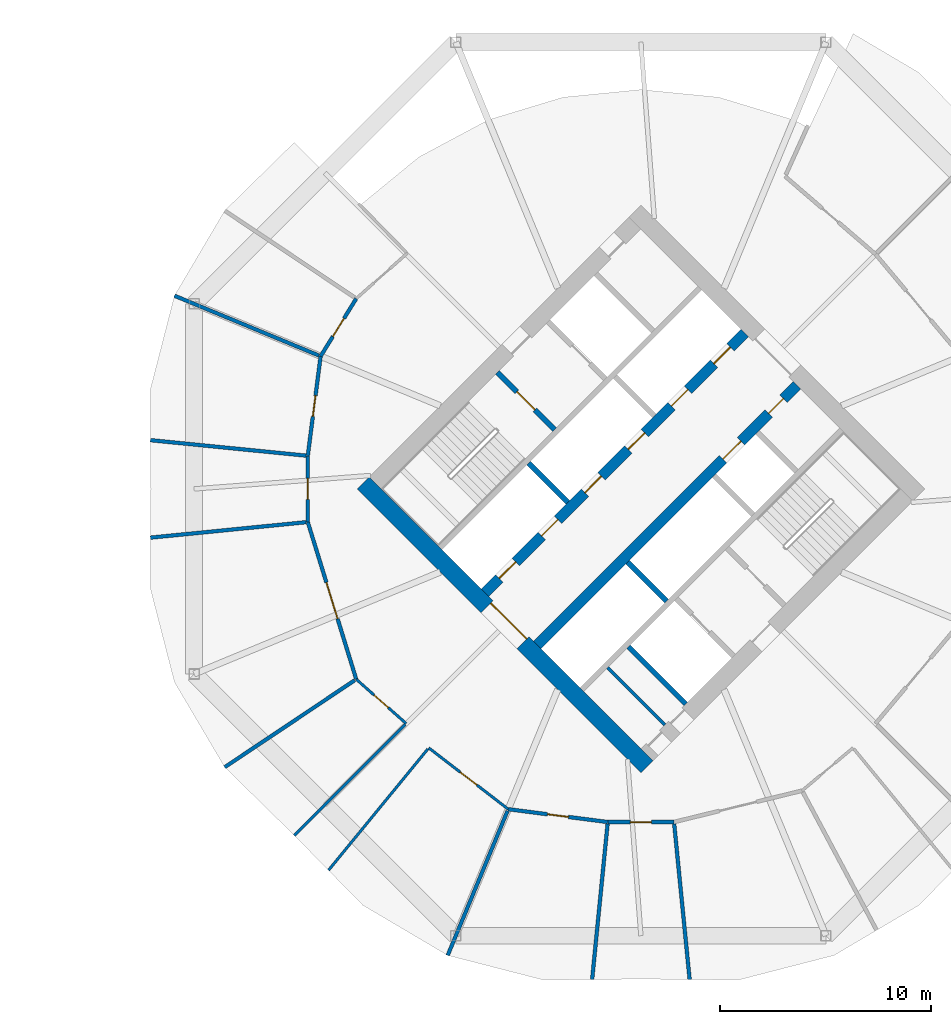
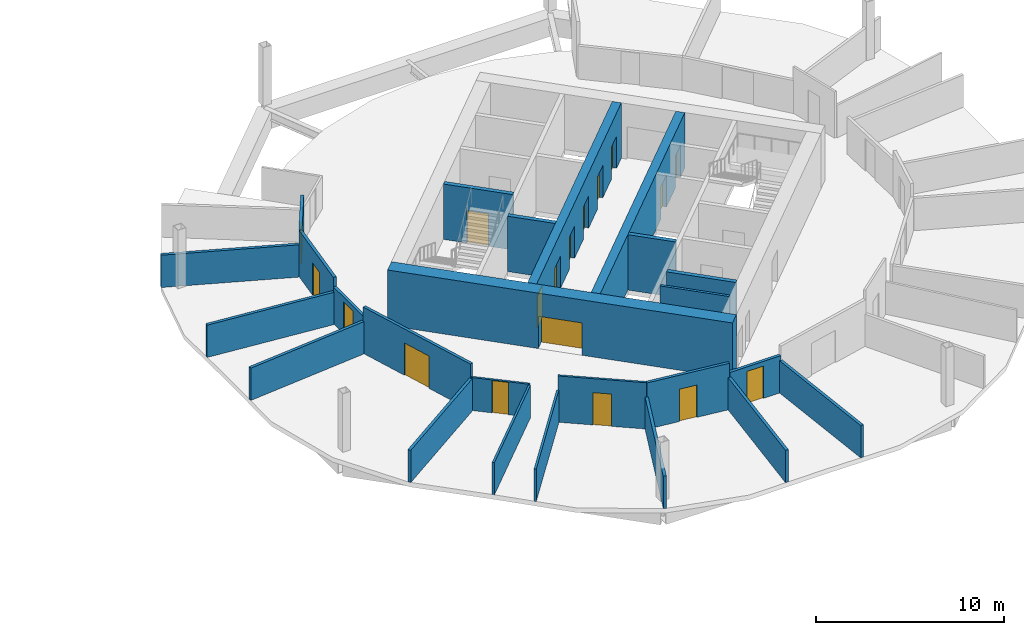
# One storey, part 6 of 9: 25 walls, 18 doors, 18 openings.
"""IFC4 building model written with IfcOpenShell, lengths in metres."""

from ifc_helpers import new_model, si_unit, direction, frame, frame_2d, origin, place, context, subcontext, project, spatial, rectangle, extrude, material, layer, layer_set, type_object, element, fill, save


model = new_model("IFC4")

# Units and contexts
model_context = context("Model", 3, precision=1e-05, world=origin(), true_north=direction((0.0, 1.0)))
body_context = subcontext(model_context, "Body", "Model", "MODEL_VIEW")
ifc_project = project(units=[si_unit("LENGTHUNIT", "METRE"), si_unit("AREAUNIT", "SQUARE_METRE"), si_unit("VOLUMEUNIT", "CUBIC_METRE"), si_unit("PLANEANGLEUNIT", "RADIAN"), si_unit("MASSUNIT", "GRAM", prefix="KILO")], contexts=[model_context])

# Site, building, storey
site_placement = place(None, origin())
site = spatial("IfcSite", under=ifc_project, at=site_placement, CompositionType="ELEMENT")
building_placement = place(site_placement, origin())
building = spatial("IfcBuilding", under=site, at=building_placement, Name="Ogive Gate Towers", CompositionType="ELEMENT")
storey_placement = place(building_placement, frame((0.0, 0.0, 67.5)))
storey = spatial("IfcBuildingStorey", under=building, at=storey_placement, Name="L15", CompositionType="ELEMENT", Elevation=67.5)

# Walls
ifc_material_1 = material(Name="Gypsum board acoustic partition")
ifc_layer_1 = layer(ifc_material_1, 0.175048828125)
ifc_layer_set_1 = layer_set([ifc_layer_1], Name="Acoustic partition 175")
wall_type_1 = type_object("IfcWallType", Name="Acoustic partition 175", PredefinedType="PARTITIONING", material=ifc_layer_set_1)
for number, where, z_axis, x_axis, name in (
    (1, (13.909912109375, 9.14990234375, 0.0), (0.0, 0.0, 1.0), (0.92387943858, -0.382683659136, 0.0), "Partition T2-L15-008"),
    (2, (12.768310546875, 2.308837890625, 0.0), (0.0, 0.0, 1.0), (0.995098680944, -0.098886880746, 0.0), "Partition T2-L15-009"),
    (3, (12.768310546875, -2.308837890625, 0.0), (0.0, 0.0, 1.0), (0.995098680944, 0.098886880746, 0.0), "Partition T2-L15-010"),
    (4, (16.290283203125, -13.1787109375, 0.0), (0.0, 0.0, 1.0), (0.831293938964, 0.55583305681, 0.0), "Partition T2-L15-011"),
    (5, (26.85009765625, -22.090087890625, 0.0), (0.0, 0.0, 1.0), (0.382683659136, 0.92387943858, 0.0), "Partition T2-L15-014"),
    (6, (33.691162109375, -23.231689453125, 0.0), (0.0, 0.0, 1.0), (0.098886880746, 0.995098680944, 0.0), "Partition T2-L15-015"),
    (7, (38.308837890625, -23.231689453125, 0.0), (0.0, 0.0, 1.0), (-0.098886880746, 0.995098680944, 0.0), "Partition T2-L15-016"),
):
    element("IfcWall", number, at=place(storey_placement, frame(where, z_axis=z_axis, x_axis=x_axis)), inside=storey, type_object=wall_type_1, Name=name, PredefinedType="PARTITIONING", context=body_context, shape_type="SweptSolid", body=[
        extrude(rectangle(XDim=7.40673828125, YDim=0.175048828125, at=frame_2d((3.703369140625, 0.0))), origin(), (0.0, 0.0, 1.0), 2.10009765625),
    ])

# Wall, opening, door
wall_1_placement = place(storey_placement, frame((37.567626953125, -15.7744140625, 0.0), z_axis=(0.0, 0.0, 1.0), x_axis=(-1.0, 0.0, 0.0)))
wall_1 = element("IfcWall", 8, at=wall_1_placement, inside=storey, type_object=wall_type_1, Name="Partition T2-L15-030", PredefinedType="PARTITIONING", context=body_context, shape_type="SweptSolid", body=[
    extrude(rectangle(XDim=3.13525390625, YDim=0.175048828125, at=frame_2d((1.567626953125, 0.0))), origin(), (0.0, 0.0, 1.0), 2.39990234375),
])
opening_1_placement = place(wall_1_placement, frame((1.068115234375, 0.0, 0.0)))
opening_1 = element("IfcOpeningElement", 9, at=opening_1_placement, cuts=wall_1, Name="Opening T2-L15-D09", PredefinedType="OPENING", context=body_context, shape_type="SweptSolid", body=[
    extrude(rectangle(XDim=1.0, YDim=2.10009765625, at=frame_2d((0.5, 1.050048828125))), frame((0.0, 0.09765625, 0.0), z_axis=(0.0, -1.0, 0.0), x_axis=(1.0, 0.0, 0.0)), (0.0, 0.0, 1.0), 0.195068359375),
])
ifc_material_2 = material(Name="Timber door", Category="wood")
door_type_1 = type_object("IfcDoorType", Name="Door 1000", OperationType="NOTDEFINED", PredefinedType="DOOR", material=ifc_material_2)
door_1_placement = place(opening_1_placement, origin())
door_1 = element("IfcDoor", 10, at=door_1_placement, inside=storey, type_object=door_type_1, Name="Door T2-L15-D09", OperationType="SINGLE_SWING_LEFT", OverallHeight=2.10009765625, OverallWidth=1.0, PredefinedType="DOOR", context=body_context, shape_type="SweptSolid", body=[
    extrude(rectangle(XDim=1.0, YDim=2.10009765625, at=frame_2d((0.5, 1.050048828125))), frame((0.0, 0.02490234375, 0.0), z_axis=(0.0, -1.0, 0.0), x_axis=(1.0, 0.0, 0.0)), (0.0, 0.0, 1.0), 0.050048828125),
])
fill(opening_1, door_1)

wall_2_placement = place(storey_placement, frame((34.432373046875, -15.7744140625, 0.0), z_axis=(0.0, 0.0, 1.0), x_axis=(-0.991781861483, 0.127940373742, 0.0)))
wall_2 = element("IfcWall", 11, at=wall_2_placement, inside=storey, type_object=wall_type_1, Name="Partition T2-L15-031", PredefinedType="PARTITIONING", context=body_context, shape_type="SweptSolid", body=[
    extrude(rectangle(XDim=4.75341796875, YDim=0.175048828125, at=frame_2d((2.376708984375, 0.0))), origin(), (0.0, 0.0, 1.0), 3.010009765625),
])
opening_2_placement = place(wall_2_placement, frame((1.876953125, 0.0, 0.0)))
opening_2 = element("IfcOpeningElement", 12, at=opening_2_placement, cuts=wall_2, Name="Opening T2-L15-D10", PredefinedType="OPENING", context=body_context, shape_type="SweptSolid", body=[
    extrude(rectangle(XDim=1.0, YDim=2.10009765625, at=frame_2d((0.5, 1.050048828125))), frame((0.0, 0.09765625, 0.0), z_axis=(0.0, -1.0, 0.0), x_axis=(1.0, 0.0, 0.0)), (0.0, 0.0, 1.0), 0.195068359375),
])
door_2_placement = place(opening_2_placement, origin())
door_2 = element("IfcDoor", 13, at=door_2_placement, inside=storey, type_object=door_type_1, Name="Door T2-L15-D10", OperationType="SINGLE_SWING_RIGHT", OverallHeight=2.10009765625, OverallWidth=1.0, PredefinedType="DOOR", context=body_context, shape_type="SweptSolid", body=[
    extrude(rectangle(XDim=1.0, YDim=2.10009765625, at=frame_2d((0.5, 1.050048828125))), frame((0.0, 0.02490234375, 0.0), z_axis=(0.0, -1.0, 0.0), x_axis=(1.0, 0.0, 0.0)), (0.0, 0.0, 1.0), 0.050048828125),
])
fill(opening_2, door_2)

wall_3_placement = place(storey_placement, frame((22.520263671875, -9.012939453125, 0.0), z_axis=(0.0, 0.0, 1.0), x_axis=(-0.294532829229, 0.955641361865, 0.0)))
wall_3 = element("IfcWall", 14, at=wall_3_placement, inside=storey, type_object=wall_type_1, Name="Partition T2-L15-034", PredefinedType="PARTITIONING", context=body_context, shape_type="SweptSolid", body=[
    extrude(rectangle(XDim=7.791015625, YDim=0.175048828125, at=frame_2d((3.8955078125, 0.0))), origin(), (0.0, 0.0, 1.0), 3.010009765625),
])
opening_3_placement = place(wall_3_placement, frame((2.9951171875, 0.0, 0.0)))
opening_3 = element("IfcOpeningElement", 15, at=opening_3_placement, cuts=wall_3, Name="Opening T2-L15-D13", PredefinedType="OPENING", context=body_context, shape_type="SweptSolid", body=[
    extrude(rectangle(XDim=1.800048828125, YDim=2.10009765625, at=frame_2d((0.89990234375, 1.050048828125))), frame((0.0, 0.09765625, 0.0), z_axis=(0.0, -1.0, 0.0), x_axis=(1.0, 0.0, 0.0)), (0.0, 0.0, 1.0), 0.195068359375),
])
door_type_2 = type_object("IfcDoorType", Name="Door pair 1800", OperationType="NOTDEFINED", PredefinedType="DOOR", material=ifc_material_2)
door_3_placement = place(opening_3_placement, origin())
door_3 = element("IfcDoor", 16, at=door_3_placement, inside=storey, type_object=door_type_2, Name="Door T2-L15-D13", OperationType="DOUBLE_DOOR_DOUBLE_SWING", OverallHeight=2.10009765625, OverallWidth=1.800048828125, PredefinedType="DOOR", context=body_context, shape_type="SweptSolid", body=[
    extrude(rectangle(XDim=1.800048828125, YDim=2.10009765625, at=frame_2d((0.89990234375, 1.050048828125))), frame((0.0, 0.02490234375, 0.0), z_axis=(0.0, -1.0, 0.0), x_axis=(1.0, 0.0, 0.0)), (0.0, 0.0, 1.0), 0.050048828125),
])
fill(opening_3, door_3)

wall_4_placement = place(storey_placement, frame((20.2255859375, -1.567626953125, 0.0), z_axis=(0.0, 0.0, 1.0), x_axis=(0.0, 1.0, 0.0)))
wall_4 = element("IfcWall", 17, at=wall_4_placement, inside=storey, type_object=wall_type_1, Name="Partition T2-L15-035", PredefinedType="PARTITIONING", context=body_context, shape_type="SweptSolid", body=[
    extrude(rectangle(XDim=3.13525390625, YDim=0.175048828125, at=frame_2d((1.567626953125, 0.0))), origin(), (0.0, 0.0, 1.0), 2.39990234375),
])
opening_4_placement = place(wall_4_placement, frame((1.068115234375, 0.0, 0.0)))
opening_4 = element("IfcOpeningElement", 18, at=opening_4_placement, cuts=wall_4, Name="Opening T2-L15-D14", PredefinedType="OPENING", context=body_context, shape_type="SweptSolid", body=[
    extrude(rectangle(XDim=1.0, YDim=2.10009765625, at=frame_2d((0.5, 1.050048828125))), frame((0.0, 0.09765625, 0.0), z_axis=(0.0, -1.0, 0.0), x_axis=(1.0, 0.0, 0.0)), (0.0, 0.0, 1.0), 0.195068359375),
])
door_4_placement = place(opening_4_placement, origin())
door_4 = element("IfcDoor", 19, at=door_4_placement, inside=storey, type_object=door_type_1, Name="Door T2-L15-D14", OperationType="SINGLE_SWING_LEFT", OverallHeight=2.10009765625, OverallWidth=1.0, PredefinedType="DOOR", context=body_context, shape_type="SweptSolid", body=[
    extrude(rectangle(XDim=1.0, YDim=2.10009765625, at=frame_2d((0.5, 1.050048828125))), frame((0.0, 0.02490234375, 0.0), z_axis=(0.0, -1.0, 0.0), x_axis=(1.0, 0.0, 0.0)), (0.0, 0.0, 1.0), 0.050048828125),
])
fill(opening_4, door_4)

wall_5_placement = place(storey_placement, frame((20.2255859375, 1.567626953125, 0.0), z_axis=(0.0, 0.0, 1.0), x_axis=(0.127940373742, 0.991781861483, 0.0)))
wall_5 = element("IfcWall", 20, at=wall_5_placement, inside=storey, type_object=wall_type_1, Name="Partition T2-L15-036", PredefinedType="PARTITIONING", context=body_context, shape_type="SweptSolid", body=[
    extrude(rectangle(XDim=4.75341796875, YDim=0.175048828125, at=frame_2d((2.376708984375, 0.0))), origin(), (0.0, 0.0, 1.0), 3.010009765625),
])
opening_5_placement = place(wall_5_placement, frame((1.876953125, 0.0, 0.0)))
opening_5 = element("IfcOpeningElement", 21, at=opening_5_placement, cuts=wall_5, Name="Opening T2-L15-D15", PredefinedType="OPENING", context=body_context, shape_type="SweptSolid", body=[
    extrude(rectangle(XDim=1.0, YDim=2.10009765625, at=frame_2d((0.5, 1.050048828125))), frame((0.0, 0.09765625, 0.0), z_axis=(0.0, -1.0, 0.0), x_axis=(1.0, 0.0, 0.0)), (0.0, 0.0, 1.0), 0.195068359375),
])
door_5_placement = place(opening_5_placement, origin())
door_5 = element("IfcDoor", 22, at=door_5_placement, inside=storey, type_object=door_type_1, Name="Door T2-L15-D15", OperationType="SINGLE_SWING_LEFT", OverallHeight=2.10009765625, OverallWidth=1.0, PredefinedType="DOOR", context=body_context, shape_type="SweptSolid", body=[
    extrude(rectangle(XDim=1.0, YDim=2.10009765625, at=frame_2d((0.5, 1.050048828125))), frame((0.0, 0.02490234375, 0.0), z_axis=(0.0, -1.0, 0.0), x_axis=(1.0, 0.0, 0.0)), (0.0, 0.0, 1.0), 0.050048828125),
])
fill(opening_5, door_5)

wall_6_placement = place(storey_placement, frame((20.833740234375, 6.281982421875, 0.0), z_axis=(0.0, 0.0, 1.0), x_axis=(0.525437821433, 0.850832002106, 0.0)))
wall_6 = element("IfcWall", 23, at=wall_6_placement, inside=storey, type_object=wall_type_1, Name="Partition T2-L15-037", PredefinedType="PARTITIONING", context=body_context, shape_type="SweptSolid", body=[
    extrude(rectangle(XDim=3.209716796875, YDim=0.175048828125, at=frame_2d((1.60498046875, 0.0))), origin(), (0.0, 0.0, 1.0), 3.010009765625),
])
opening_6_placement = place(wall_6_placement, frame((1.10498046875, 0.0, 0.0)))
opening_6 = element("IfcOpeningElement", 24, at=opening_6_placement, cuts=wall_6, Name="Opening T2-L15-D16", PredefinedType="OPENING", context=body_context, shape_type="SweptSolid", body=[
    extrude(rectangle(XDim=1.0, YDim=2.10009765625, at=frame_2d((0.5, 1.050048828125))), frame((0.0, 0.09765625, 0.0), z_axis=(0.0, -1.0, 0.0), x_axis=(1.0, 0.0, 0.0)), (0.0, 0.0, 1.0), 0.195068359375),
])
door_6_placement = place(opening_6_placement, origin())
door_6 = element("IfcDoor", 25, at=door_6_placement, inside=storey, type_object=door_type_1, Name="Door T2-L15-D16", OperationType="SINGLE_SWING_RIGHT", OverallHeight=2.10009765625, OverallWidth=1.0, PredefinedType="DOOR", context=body_context, shape_type="SweptSolid", body=[
    extrude(rectangle(XDim=1.0, YDim=2.10009765625, at=frame_2d((0.5, 1.050048828125))), frame((0.0, 0.02490234375, 0.0), z_axis=(0.0, -1.0, 0.0), x_axis=(1.0, 0.0, 0.0)), (0.0, 0.0, 1.0), 0.050048828125),
])
fill(opening_6, door_6)

ifc_material_3 = material(Name="Concrete C60/75", Category="concrete")
ifc_layer_2 = layer(ifc_material_3, 0.800048828125)
ifc_layer_set_2 = layer_set([ifc_layer_2], Name="Core wall 800 mm")
wall_type_2 = type_object("IfcWallType", Name="Core wall 800 mm", PredefinedType="SHEAR", material=ifc_layer_set_2)
wall_7_placement = place(storey_placement, frame((36.28271484375, -13.152099609375, 0.0), z_axis=(0.0, 0.0, 1.0), x_axis=(-0.707106781187, 0.707106781187, 0.0)))
wall_7 = element("IfcWall", 26, at=wall_7_placement, inside=storey, type_object=wall_type_2, Name="T2 L15 Core wall 800 mm", PredefinedType="SHEAR", context=body_context, shape_type="SweptSolid", body=[
    extrude(rectangle(XDim=18.999755859375, YDim=0.800048828125, at=frame_2d((9.5, 0.0))), origin(), (0.0, 0.0, 1.0), 3.60009765625),
])
opening_7_placement = place(wall_7_placement, frame((8.300048828125, 0.0, 0.0)))
opening_7 = element("IfcOpeningElement", 27, at=opening_7_placement, cuts=wall_7, Name="Opening KD-T2-L15-01", PredefinedType="OPENING", context=body_context, shape_type="SweptSolid", body=[
    extrude(rectangle(XDim=2.39990234375, YDim=2.10009765625, at=frame_2d((1.199951171875, 1.050048828125))), frame((0.0, 0.41015625, 0.0), z_axis=(0.0, -1.0, 0.0), x_axis=(1.0, 0.0, 0.0)), (0.0, 0.0, 1.0), 0.820068359375),
])
ifc_material_4 = material(Name="Steel fire door", Category="steel")
door_type_3 = type_object("IfcDoorType", Name="Core double door FD60S 2400 x 2100", OperationType="DOUBLE_DOOR_SINGLE_SWING", PredefinedType="DOOR", material=ifc_material_4)
door_7_placement = place(opening_7_placement, origin())
door_7 = element("IfcDoor", 28, at=door_7_placement, inside=storey, type_object=door_type_3, Name="T2 L15 Core door double", OperationType="DOUBLE_DOOR_SINGLE_SWING", OverallHeight=2.10009765625, OverallWidth=2.39990234375, PredefinedType="DOOR", context=body_context, shape_type="SweptSolid", body=[
    extrude(rectangle(XDim=2.39990234375, YDim=2.10009765625, at=frame_2d((1.199951171875, 1.050048828125))), frame((0.0, -0.22509765625, 0.0), z_axis=(0.0, -1.0, 0.0), x_axis=(1.0, 0.0, 0.0)), (0.0, 0.0, 1.0), 0.050048828125),
])
fill(opening_7, door_7)

# Walls
ifc_material_5 = material(Name="Gypsum board partition")
ifc_layer_3 = layer(ifc_material_5, 0.125)
ifc_layer_set_3 = layer_set([ifc_layer_3], Name="Partition 125")
wall_type_3 = type_object("IfcWallType", Name="Partition 125", PredefinedType="PARTITIONING", material=ifc_layer_set_3)
wall_8_placement = place(storey_placement, frame((19.588623046875, -16.411376953125, 0.0), z_axis=(0.0, 0.0, 1.0), x_axis=(0.707106781187, 0.707106781187, 0.0)))
element("IfcWall", 29, at=wall_8_placement, inside=storey, type_object=wall_type_3, Name="Partition T2-L15-012", PredefinedType="PARTITIONING", context=body_context, shape_type="SweptSolid", body=[
    extrude(rectangle(XDim=7.431884765625, YDim=0.125, at=frame_2d((3.7158203125, 0.0))), origin(), (0.0, 0.0, 1.0), 2.10009765625),
])
wall_9_placement = place(storey_placement, frame((21.205322265625, -18.06005859375, 0.0), z_axis=(0.0, 0.0, 1.0), x_axis=(0.633699220446, 0.773579535669, 0.0)))
element("IfcWall", 30, at=wall_9_placement, inside=storey, type_object=wall_type_3, Name="Partition T2-L15-013", PredefinedType="PARTITIONING", context=body_context, shape_type="SweptSolid", body=[
    extrude(rectangle(XDim=7.431640625, YDim=0.125, at=frame_2d((3.7158203125, 0.0))), origin(), (0.0, 0.0, 1.0), 2.10009765625),
])

# Wall, opening, door
wall_10_placement = place(storey_placement, frame((29.718017578125, -15.166259765625, 0.0), z_axis=(0.0, 0.0, 1.0), x_axis=(-0.791765932575, 0.610824613137, 0.0)))
wall_10 = element("IfcWall", 31, at=wall_10_placement, inside=storey, type_object=wall_type_3, Name="Partition T2-L15-032", PredefinedType="PARTITIONING", context=body_context, shape_type="SweptSolid", body=[
    extrude(rectangle(XDim=4.75341796875, YDim=0.125, at=frame_2d((2.376708984375, 0.0))), origin(), (0.0, 0.0, 1.0), 3.010009765625),
])
opening_8_placement = place(wall_10_placement, frame((1.876953125, 0.0, 0.0)))
opening_8 = element("IfcOpeningElement", 32, at=opening_8_placement, cuts=wall_10, Name="Opening T2-L15-D11", PredefinedType="OPENING", context=body_context, shape_type="SweptSolid", body=[
    extrude(rectangle(XDim=1.0, YDim=2.10009765625, at=frame_2d((0.5, 1.050048828125))), frame((0.0, 0.072509765625, 0.0), z_axis=(0.0, -1.0, 0.0), x_axis=(1.0, 0.0, 0.0)), (0.0, 0.0, 1.0), 0.14501953125),
])
door_8_placement = place(opening_8_placement, origin())
door_8 = element("IfcDoor", 33, at=door_8_placement, inside=storey, type_object=door_type_1, Name="Door T2-L15-D11", OperationType="SINGLE_SWING_RIGHT", OverallHeight=2.10009765625, OverallWidth=1.0, PredefinedType="DOOR", context=body_context, shape_type="SweptSolid", body=[
    extrude(rectangle(XDim=1.0, YDim=2.10009765625, at=frame_2d((0.5, 1.050048828125))), frame((0.0, 0.02490234375, 0.0), z_axis=(0.0, -1.0, 0.0), x_axis=(1.0, 0.0, 0.0)), (0.0, 0.0, 1.0), 0.050048828125),
])
fill(opening_8, door_8)

wall_11_placement = place(storey_placement, frame((24.887939453125, -11.112060546875, 0.0), z_axis=(0.0, 0.0, 1.0), x_axis=(-0.748268594098, 0.663395893179, 0.0)))
wall_11 = element("IfcWall", 34, at=wall_11_placement, inside=storey, type_object=wall_type_3, Name="Partition T2-L15-033", PredefinedType="PARTITIONING", context=body_context, shape_type="SweptSolid", body=[
    extrude(rectangle(XDim=3.164306640625, YDim=0.125, at=frame_2d((1.58203125, 0.0))), origin(), (0.0, 0.0, 1.0), 2.139892578125),
])
opening_9_placement = place(wall_11_placement, frame((1.132080078125, 0.0, 0.0)))
opening_9 = element("IfcOpeningElement", 35, at=opening_9_placement, cuts=wall_11, Name="Opening T2-L15-D12", PredefinedType="OPENING", context=body_context, shape_type="SweptSolid", body=[
    extrude(rectangle(XDim=0.89990234375, YDim=2.10009765625, at=frame_2d((0.449951171875, 1.050048828125))), frame((0.0, 0.072509765625, 0.0), z_axis=(0.0, -1.0, 0.0), x_axis=(1.0, 0.0, 0.0)), (0.0, 0.0, 1.0), 0.14501953125),
])
door_type_4 = type_object("IfcDoorType", Name="Door 900", OperationType="NOTDEFINED", PredefinedType="DOOR", material=ifc_material_2)
door_9_placement = place(opening_9_placement, origin())
door_9 = element("IfcDoor", 36, at=door_9_placement, inside=storey, type_object=door_type_4, Name="Door T2-L15-D12", OperationType="SINGLE_SWING_LEFT", OverallHeight=2.10009765625, OverallWidth=0.89990234375, PredefinedType="DOOR", context=body_context, shape_type="SweptSolid", body=[
    extrude(rectangle(XDim=0.89990234375, YDim=2.10009765625, at=frame_2d((0.449951171875, 1.050048828125))), frame((0.0, 0.02490234375, 0.0), z_axis=(0.0, -1.0, 0.0), x_axis=(1.0, 0.0, 0.0)), (0.0, 0.0, 1.0), 0.050048828125),
])
fill(opening_9, door_9)

# Walls
ifc_layer_4 = layer(ifc_material_5, 0.14990234375)
ifc_layer_set_4 = layer_set([ifc_layer_4], Name="Room partition 150 mm")
wall_type_4 = type_object("IfcWallType", Name="Room partition 150 mm", PredefinedType="PARTITIONING", material=ifc_layer_set_4)
wall_12_placement = place(storey_placement, frame((37.13134765625, -11.17236328125, 0.0), z_axis=(0.0, 0.0, 1.0), x_axis=(-0.707074866995, 0.707138693938, 0.0)))
element("IfcWall", 37, at=wall_12_placement, inside=storey, type_object=wall_type_4, Name="T2 L15 Room partition 150 mm", PredefinedType="PARTITIONING", context=body_context, shape_type="SweptSolid", body=[
    extrude(rectangle(XDim=3.824951171875, YDim=0.14990234375, at=frame_2d((1.91259765625, 0.0))), origin(), (0.0, 0.0, 1.0), 3.60009765625),
])
ifc_layer_5 = layer(ifc_material_3, 0.25)
ifc_layer_set_5 = layer_set([ifc_layer_5], Name="Shaft wall 250 mm")
wall_type_5 = type_object("IfcWallType", Name="Shaft wall 250 mm", PredefinedType="SHEAR", material=ifc_layer_set_5)
wall_13_placement = place(storey_placement, frame((38.121337890625, -10.182373046875, 0.0), z_axis=(0.0, 0.0, 1.0), x_axis=(-0.707138693938, 0.707074866995, 0.0)))
element("IfcWall", 38, at=wall_13_placement, inside=storey, type_object=wall_type_5, Name="T2 L15 Shaft wall 250 mm", PredefinedType="SHEAR", context=body_context, shape_type="SweptSolid", body=[
    extrude(rectangle(XDim=3.824951171875, YDim=0.25, at=frame_2d((1.91259765625, 0.0))), origin(), (0.0, 0.0, 1.0), 3.60009765625),
])
for number, where, z_axis, x_axis, name in (
    (39, (37.2197265625, -5.321044921875, 0.0), (0.0, 0.0, 1.0), (-0.707106781187, 0.707106781187, 0.0), "T2 L15 Shaft wall 250 mm"),
    (40, (32.53515625, -0.636474609375, 0.0), (0.0, 0.0, 1.0), (-0.707106781187, 0.707106781187, 0.0), "T2 L15 Shaft wall 250 mm"),
):
    element("IfcWall", number, at=place(storey_placement, frame(where, z_axis=z_axis, x_axis=x_axis)), inside=storey, type_object=wall_type_5, Name=name, PredefinedType="SHEAR", context=body_context, shape_type="SweptSolid", body=[
        extrude(rectangle(XDim=2.625, YDim=0.25, at=frame_2d((1.3125, 0.0))), origin(), (0.0, 0.0, 1.0), 3.60009765625),
    ])

# Wall, opening, door
wall_14_placement = place(storey_placement, frame((31.91650390625, 2.810791015625, 0.0), z_axis=(0.0, 0.0, 1.0), x_axis=(-0.707106781187, 0.707106781187, 0.0)))
wall_14 = element("IfcWall", 41, at=wall_14_placement, inside=storey, type_object=wall_type_5, Name="T2 L15 Shaft wall 250 mm", PredefinedType="SHEAR", context=body_context, shape_type="SweptSolid", body=[
    extrude(rectangle(XDim=3.824951171875, YDim=0.25, at=frame_2d((1.91259765625, 0.0))), origin(), (0.0, 0.0, 1.0), 3.60009765625),
])
opening_10_placement = place(wall_14_placement, frame((1.324951171875, 0.0, 0.0)))
opening_10 = element("IfcOpeningElement", 42, at=opening_10_placement, cuts=wall_14, Name="Opening KD-T2-L15-13", PredefinedType="OPENING", context=body_context, shape_type="SweptSolid", body=[
    extrude(rectangle(XDim=1.199951171875, YDim=2.10009765625, at=frame_2d((0.60009765625, 1.050048828125))), frame((0.0, 0.135009765625, 0.0), z_axis=(0.0, -1.0, 0.0), x_axis=(1.0, 0.0, 0.0)), (0.0, 0.0, 1.0), 0.27001953125),
])
door_type_5 = type_object("IfcDoorType", Name="Core door FD60S 1200 x 2100", OperationType="NOTDEFINED", PredefinedType="DOOR", material=ifc_material_4)
door_10_placement = place(opening_10_placement, origin())
door_10 = element("IfcDoor", 43, at=door_10_placement, inside=storey, type_object=door_type_5, Name="T2 L15 Stair door", OperationType="SINGLE_SWING_RIGHT", OverallHeight=2.10009765625, OverallWidth=1.199951171875, PredefinedType="DOOR", context=body_context, shape_type="SweptSolid", body=[
    extrude(rectangle(XDim=1.199951171875, YDim=2.10009765625, at=frame_2d((0.60009765625, 1.050048828125))), frame((0.0, 0.02490234375, 0.0), z_axis=(0.0, -1.0, 0.0), x_axis=(1.0, 0.0, 0.0)), (0.0, 0.0, 1.0), 0.050048828125),
])
fill(opening_10, door_10)

# Wall, openings, doors
ifc_layer_6 = layer(ifc_material_3, 0.5)
ifc_layer_set_6 = layer_set([ifc_layer_6], Name="Spine wall 500 mm")
wall_type_6 = type_object("IfcWallType", Name="Spine wall 500 mm", PredefinedType="SHEAR", material=ifc_layer_set_6)
wall_15_placement = place(storey_placement, frame((31.085693359375, -7.389404296875, 0.0), z_axis=(0.0, 0.0, 1.0), x_axis=(0.707106781187, 0.707106781187, 0.0)))
wall_15 = element("IfcWall", 44, at=wall_15_placement, inside=storey, type_object=wall_type_6, Name="T2 L15 Spine wall 500 mm", PredefinedType="SHEAR", context=body_context, shape_type="SweptSolid", body=[
    extrude(rectangle(XDim=17.400146484375, YDim=0.5, at=frame_2d((8.7001953125, 0.0))), origin(), (0.0, 0.0, 1.0), 3.60009765625),
])
opening_11_placement = place(wall_15_placement, frame((12.449951171875, 0.0, 0.0)))
opening_11 = element("IfcOpeningElement", 45, at=opening_11_placement, cuts=wall_15, Name="Opening LD-T2-L15-09", PredefinedType="OPENING", context=body_context, shape_type="SweptSolid", body=[
    extrude(rectangle(XDim=1.199951171875, YDim=2.10009765625, at=frame_2d((0.60009765625, 1.050048828125))), frame((0.0, 0.260009765625, 0.0), z_axis=(0.0, -1.0, 0.0), x_axis=(1.0, 0.0, 0.0)), (0.0, 0.0, 1.0), 0.52001953125),
])
opening_12_placement = place(wall_15_placement, frame((15.5, 0.0, 0.0)))
opening_12 = element("IfcOpeningElement", 46, at=opening_12_placement, cuts=wall_15, Name="Opening KD-T2-L15-12", PredefinedType="OPENING", context=body_context, shape_type="SweptSolid", body=[
    extrude(rectangle(XDim=1.0, YDim=2.10009765625, at=frame_2d((0.5, 1.050048828125))), frame((0.0, 0.260009765625, 0.0), z_axis=(0.0, -1.0, 0.0), x_axis=(1.0, 0.0, 0.0)), (0.0, 0.0, 1.0), 0.52001953125),
])
door_type_6 = type_object("IfcDoorType", Name="Core door FD60S 1000 x 2100", OperationType="NOTDEFINED", PredefinedType="DOOR", material=ifc_material_4)
door_11_placement = place(opening_12_placement, origin())
door_11 = element("IfcDoor", 47, at=door_11_placement, inside=storey, type_object=door_type_6, Name="T2 L15 Core door", OperationType="SINGLE_SWING_LEFT", OverallHeight=2.10009765625, OverallWidth=1.0, PredefinedType="DOOR", context=body_context, shape_type="SweptSolid", body=[
    extrude(rectangle(XDim=1.0, YDim=2.10009765625, at=frame_2d((0.5, 1.050048828125))), frame((0.0, 0.02490234375, 0.0), z_axis=(0.0, -1.0, 0.0), x_axis=(1.0, 0.0, 0.0)), (0.0, 0.0, 1.0), 0.050048828125),
])
fill(opening_12, door_11)
ifc_material_6 = material(Name="Stainless steel landing door", Category="steel")
door_type_7 = type_object("IfcDoorType", Name="Landing door 1200 x 2100", OperationType="SLIDING_TO_LEFT", PredefinedType="DOOR", material=ifc_material_6)
door_12_placement = place(opening_11_placement, origin())
door_12 = element("IfcDoor", 48, at=door_12_placement, inside=storey, type_object=door_type_7, Name="T2 L15 Lift landing door SVC", OperationType="SLIDING_TO_LEFT", OverallHeight=2.10009765625, OverallWidth=1.199951171875, PredefinedType="DOOR", context=body_context, shape_type="SweptSolid", body=[
    extrude(rectangle(XDim=1.199951171875, YDim=2.10009765625, at=frame_2d((0.60009765625, 1.050048828125))), frame((0.0, 0.02490234375, 0.0), z_axis=(0.0, -1.0, 0.0), x_axis=(1.0, 0.0, 0.0)), (0.0, 0.0, 1.0), 0.050048828125),
])
fill(opening_11, door_12)

wall_16_placement = place(storey_placement, frame((28.610595703125, -4.914306640625, 0.0), z_axis=(0.0, 0.0, 1.0), x_axis=(0.707106781187, 0.707106781187, 0.0)))
wall_16 = element("IfcWall", 49, at=wall_16_placement, inside=storey, type_object=wall_type_6, Name="T2 L15 Spine wall 500 mm", PredefinedType="SHEAR", context=body_context, shape_type="SweptSolid", body=[
    extrude(rectangle(XDim=17.400146484375, YDim=0.5, at=frame_2d((8.7001953125, 0.0))), origin(), (0.0, 0.0, 1.0), 3.60009765625),
])
opening_13_placement = place(wall_16_placement, frame((0.96240234375, 0.0, 0.0)))
opening_13 = element("IfcOpeningElement", 50, at=opening_13_placement, cuts=wall_16, Name="Opening LD-T2-L15-03", PredefinedType="OPENING", context=body_context, shape_type="SweptSolid", body=[
    extrude(rectangle(XDim=1.10009765625, YDim=2.10009765625, at=frame_2d((0.550048828125, 1.050048828125))), frame((0.0, 0.260009765625, 0.0), z_axis=(0.0, -1.0, 0.0), x_axis=(1.0, 0.0, 0.0)), (0.0, 0.0, 1.0), 0.52001953125),
])
opening_14_placement = place(wall_16_placement, frame((3.800048828125, 0.0, 0.0)))
opening_14 = element("IfcOpeningElement", 51, at=opening_14_placement, cuts=wall_16, Name="Opening LD-T2-L15-04", PredefinedType="OPENING", context=body_context, shape_type="SweptSolid", body=[
    extrude(rectangle(XDim=1.10009765625, YDim=2.10009765625, at=frame_2d((0.550048828125, 1.050048828125))), frame((0.0, 0.260009765625, 0.0), z_axis=(0.0, -1.0, 0.0), x_axis=(1.0, 0.0, 0.0)), (0.0, 0.0, 1.0), 0.52001953125),
])
opening_15_placement = place(wall_16_placement, frame((6.699951171875, 0.0, 0.0)))
opening_15 = element("IfcOpeningElement", 52, at=opening_15_placement, cuts=wall_16, Name="Opening LD-T2-L15-05", PredefinedType="OPENING", context=body_context, shape_type="SweptSolid", body=[
    extrude(rectangle(XDim=1.10009765625, YDim=2.10009765625, at=frame_2d((0.550048828125, 1.050048828125))), frame((0.0, 0.260009765625, 0.0), z_axis=(0.0, -1.0, 0.0), x_axis=(1.0, 0.0, 0.0)), (0.0, 0.0, 1.0), 0.52001953125),
])
opening_16_placement = place(wall_16_placement, frame((9.60009765625, 0.0, 0.0)))
opening_16 = element("IfcOpeningElement", 53, at=opening_16_placement, cuts=wall_16, Name="Opening LD-T2-L15-06", PredefinedType="OPENING", context=body_context, shape_type="SweptSolid", body=[
    extrude(rectangle(XDim=1.10009765625, YDim=2.10009765625, at=frame_2d((0.550048828125, 1.050048828125))), frame((0.0, 0.260009765625, 0.0), z_axis=(0.0, -1.0, 0.0), x_axis=(1.0, 0.0, 0.0)), (0.0, 0.0, 1.0), 0.52001953125),
])
opening_17_placement = place(wall_16_placement, frame((12.5, 0.0, 0.0)))
opening_17 = element("IfcOpeningElement", 54, at=opening_17_placement, cuts=wall_16, Name="Opening LD-T2-L15-07", PredefinedType="OPENING", context=body_context, shape_type="SweptSolid", body=[
    extrude(rectangle(XDim=1.10009765625, YDim=2.10009765625, at=frame_2d((0.550048828125, 1.050048828125))), frame((0.0, 0.260009765625, 0.0), z_axis=(0.0, -1.0, 0.0), x_axis=(1.0, 0.0, 0.0)), (0.0, 0.0, 1.0), 0.52001953125),
])
opening_18_placement = place(wall_16_placement, frame((15.33740234375, 0.0, 0.0)))
opening_18 = element("IfcOpeningElement", 55, at=opening_18_placement, cuts=wall_16, Name="Opening LD-T2-L15-08", PredefinedType="OPENING", context=body_context, shape_type="SweptSolid", body=[
    extrude(rectangle(XDim=1.10009765625, YDim=2.10009765625, at=frame_2d((0.550048828125, 1.050048828125))), frame((0.0, 0.260009765625, 0.0), z_axis=(0.0, -1.0, 0.0), x_axis=(1.0, 0.0, 0.0)), (0.0, 0.0, 1.0), 0.52001953125),
])
door_type_8 = type_object("IfcDoorType", Name="Landing door 1100 x 2100", OperationType="SLIDING_TO_LEFT", PredefinedType="DOOR", material=ifc_material_6)
door_13_placement = place(opening_13_placement, origin())
door_13 = element("IfcDoor", 56, at=door_13_placement, inside=storey, type_object=door_type_8, Name="T2 L15 Lift landing door A1", OperationType="SLIDING_TO_LEFT", OverallHeight=2.10009765625, OverallWidth=1.10009765625, PredefinedType="DOOR", context=body_context, shape_type="SweptSolid", body=[
    extrude(rectangle(XDim=1.10009765625, YDim=2.10009765625, at=frame_2d((0.550048828125, 1.050048828125))), frame((0.0, 0.02490234375, 0.0), z_axis=(0.0, -1.0, 0.0), x_axis=(1.0, 0.0, 0.0)), (0.0, 0.0, 1.0), 0.050048828125),
])
fill(opening_13, door_13)
door_14_placement = place(opening_14_placement, origin())
door_14 = element("IfcDoor", 57, at=door_14_placement, inside=storey, type_object=door_type_8, Name="T2 L15 Lift landing door A2", OperationType="SLIDING_TO_LEFT", OverallHeight=2.10009765625, OverallWidth=1.10009765625, PredefinedType="DOOR", context=body_context, shape_type="SweptSolid", body=[
    extrude(rectangle(XDim=1.10009765625, YDim=2.10009765625, at=frame_2d((0.550048828125, 1.050048828125))), frame((0.0, 0.02490234375, 0.0), z_axis=(0.0, -1.0, 0.0), x_axis=(1.0, 0.0, 0.0)), (0.0, 0.0, 1.0), 0.050048828125),
])
fill(opening_14, door_14)
door_15_placement = place(opening_15_placement, origin())
door_15 = element("IfcDoor", 58, at=door_15_placement, inside=storey, type_object=door_type_8, Name="T2 L15 Lift landing door A3", OperationType="SLIDING_TO_LEFT", OverallHeight=2.10009765625, OverallWidth=1.10009765625, PredefinedType="DOOR", context=body_context, shape_type="SweptSolid", body=[
    extrude(rectangle(XDim=1.10009765625, YDim=2.10009765625, at=frame_2d((0.550048828125, 1.050048828125))), frame((0.0, 0.02490234375, 0.0), z_axis=(0.0, -1.0, 0.0), x_axis=(1.0, 0.0, 0.0)), (0.0, 0.0, 1.0), 0.050048828125),
])
fill(opening_15, door_15)
door_16_placement = place(opening_16_placement, origin())
door_16 = element("IfcDoor", 59, at=door_16_placement, inside=storey, type_object=door_type_8, Name="T2 L15 Lift landing door A4", OperationType="SLIDING_TO_LEFT", OverallHeight=2.10009765625, OverallWidth=1.10009765625, PredefinedType="DOOR", context=body_context, shape_type="SweptSolid", body=[
    extrude(rectangle(XDim=1.10009765625, YDim=2.10009765625, at=frame_2d((0.550048828125, 1.050048828125))), frame((0.0, 0.02490234375, 0.0), z_axis=(0.0, -1.0, 0.0), x_axis=(1.0, 0.0, 0.0)), (0.0, 0.0, 1.0), 0.050048828125),
])
fill(opening_16, door_16)
door_17_placement = place(opening_17_placement, origin())
door_17 = element("IfcDoor", 60, at=door_17_placement, inside=storey, type_object=door_type_8, Name="T2 L15 Lift landing door A5", OperationType="SLIDING_TO_LEFT", OverallHeight=2.10009765625, OverallWidth=1.10009765625, PredefinedType="DOOR", context=body_context, shape_type="SweptSolid", body=[
    extrude(rectangle(XDim=1.10009765625, YDim=2.10009765625, at=frame_2d((0.550048828125, 1.050048828125))), frame((0.0, 0.02490234375, 0.0), z_axis=(0.0, -1.0, 0.0), x_axis=(1.0, 0.0, 0.0)), (0.0, 0.0, 1.0), 0.050048828125),
])
fill(opening_17, door_17)
door_18_placement = place(opening_18_placement, origin())
door_18 = element("IfcDoor", 61, at=door_18_placement, inside=storey, type_object=door_type_8, Name="T2 L15 Lift landing door A6", OperationType="SLIDING_TO_LEFT", OverallHeight=2.10009765625, OverallWidth=1.10009765625, PredefinedType="DOOR", context=body_context, shape_type="SweptSolid", body=[
    extrude(rectangle(XDim=1.10009765625, YDim=2.10009765625, at=frame_2d((0.550048828125, 1.050048828125))), frame((0.0, 0.02490234375, 0.0), z_axis=(0.0, -1.0, 0.0), x_axis=(1.0, 0.0, 0.0)), (0.0, 0.0, 1.0), 0.050048828125),
])
fill(opening_18, door_18)

save(model, "model.ifc")
